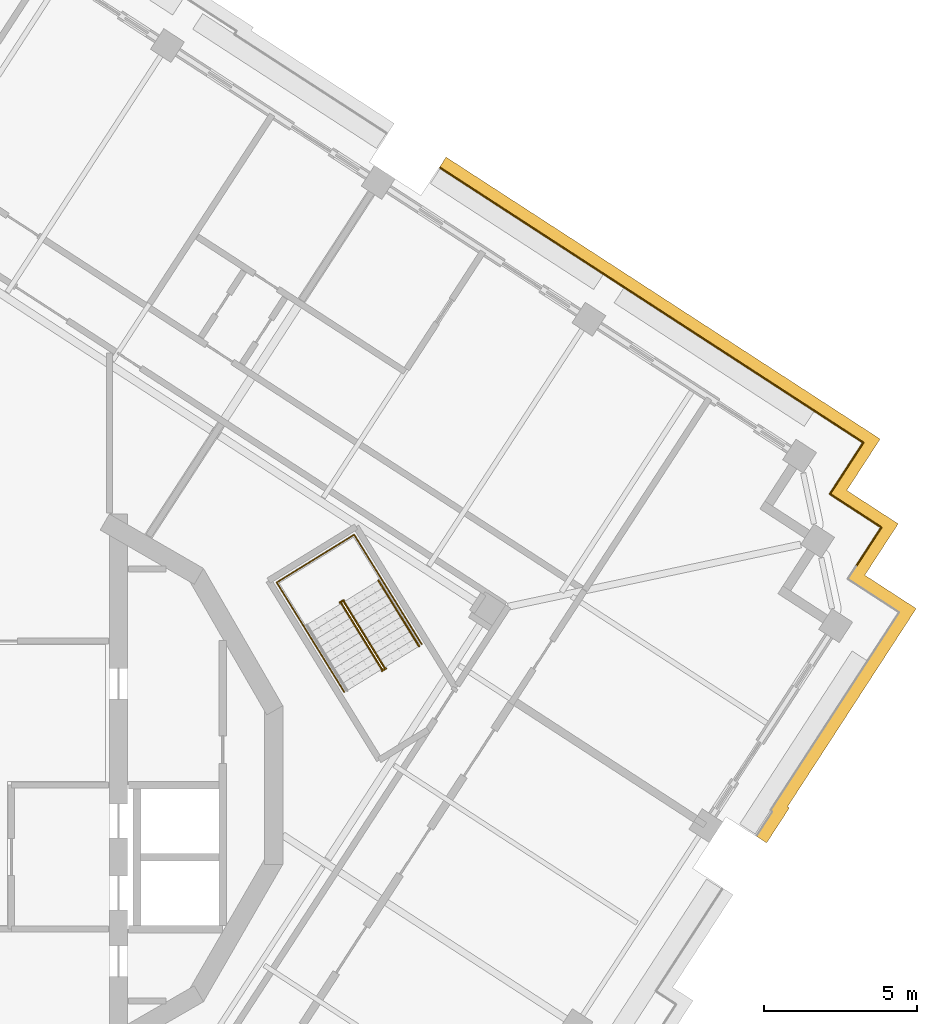
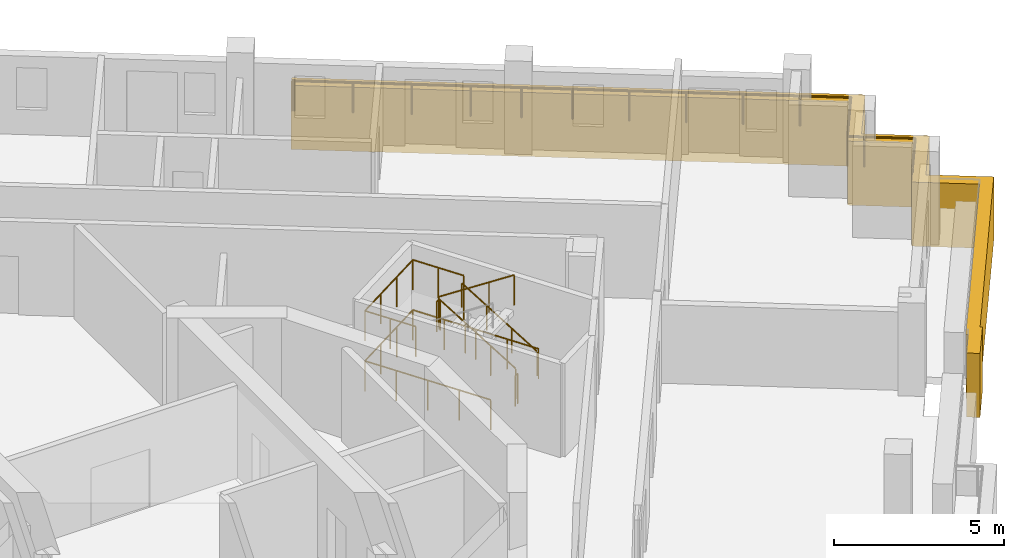
# One storey, part 14 of 15: 7 railings, 1 covering.
"""IFC4 building model written with IfcOpenShell, lengths in metres."""

from ifc_helpers import new_model, si_unit, direction, frame, origin, origin_2d, place, context, subcontext, project, spatial, polyline, circle, outline, extrude, material, type_object, element, save


model = new_model("IFC4")

# Units and contexts
model_context = context("Model", 3, precision=1e-05, world=origin(), true_north=direction((0.0, 1.0)))
body_context = subcontext(model_context, "Body", "Model", "MODEL_VIEW")
ifc_project = project(units=[si_unit("LENGTHUNIT", "METRE"), si_unit("AREAUNIT", "SQUARE_METRE"), si_unit("VOLUMEUNIT", "CUBIC_METRE"), si_unit("PLANEANGLEUNIT", "RADIAN"), si_unit("MASSUNIT", "GRAM", prefix="KILO")], contexts=[model_context])

# Site, building, storey
site_placement = place(None, origin())
site = spatial("IfcSite", under=ifc_project, at=site_placement, CompositionType="ELEMENT")
building_placement = place(site_placement, origin())
building = spatial("IfcBuilding", under=site, at=building_placement, Name="Cantera Rosa Tower", CompositionType="ELEMENT")
storey_placement = place(building_placement, frame((0.0, 0.0, 261.300048828125)))
storey = spatial("IfcBuildingStorey", under=building, at=storey_placement, Name="L58", CompositionType="ELEMENT", Elevation=261.300048828125)

# Railings
ifc_material_1 = material(Name="Stainless steel and laminated glass", Category="steel")
railing_type_1 = type_object("IfcRailingType", Name="GUARD 1100", PredefinedType="BALUSTRADE", material=ifc_material_1)
railing_1_placement = place(storey_placement, frame((14.7880859375, 20.14599609375, 0.0)))
element("IfcRailing", 1, at=railing_1_placement, inside=storey, type_object=railing_type_1, Name="GUARD L58-8", PredefinedType="BALUSTRADE", context=body_context, shape_type="SweptSolid", body=[
    extrude(circle(Radius=0.030029296875, at=origin_2d()), frame((0.0, 0.0, 1.070068359375), z_axis=(0.838443616301, -0.544988350595, 0.0), x_axis=(0.544988350595, 0.838443616301, 0.0)), (0.0, 0.0, 1.0), 0.06982421875),
    extrude(circle(Radius=0.030029296875, at=origin_2d()), frame((0.05859375, -0.0380859375, 1.070068359375), z_axis=(0.838657010828, -0.544659910576, 0.0), x_axis=(0.544659910576, 0.838657010828, 0.0)), (0.0, 0.0, 1.0), 5.2001953125),
    extrude(circle(Radius=0.030029296875, at=origin_2d()), frame((4.419677734375, -2.870361328125, 1.070068359375), z_axis=(0.8387001057, -0.544593548161, 0.0), x_axis=(0.544593548161, 0.8387001057, 0.0)), (0.0, 0.0, 1.0), 3.0),
    extrude(circle(Radius=0.030029296875, at=origin_2d()), frame((6.935791015625, -4.504150390625, 1.070068359375), z_axis=(0.838666659313, -0.544645053734, 0.0), x_axis=(0.544645053734, 0.838666659313, 0.0)), (0.0, 0.0, 1.0), 6.7001953125),
    extrude(circle(Radius=0.030029296875, at=origin_2d()), frame((12.554931640625, -8.1533203125, 1.070068359375), z_axis=(0.838651824232, -0.544667896716, 0.0), x_axis=(0.544667896716, 0.838651824232, 0.0)), (0.0, 0.0, 1.0), 1.499755859375),
    extrude(circle(Radius=0.030029296875, at=origin_2d()), frame((13.812744140625, -8.97021484375, 1.070068359375), z_axis=(-0.544593548161, -0.8387001057, 0.0), x_axis=(0.8387001057, -0.544593548161, 0.0)), (0.0, 0.0, 1.0), 1.5),
    extrude(circle(Radius=0.030029296875, at=origin_2d()), frame((12.995849609375, -10.228271484375, 1.070068359375), z_axis=(-0.544627753175, -0.83867789435, 0.0), x_axis=(0.83867789435, -0.544627753175, 0.0)), (0.0, 0.0, 1.0), 0.499755859375),
    extrude(circle(Radius=0.030029296875, at=origin_2d()), frame((12.7236328125, -10.6474609375, 1.070068359375), z_axis=(0.838454772945, -0.544971186143, 0.0), x_axis=(0.544971186143, 0.838454772945, 0.0)), (0.0, 0.0, 1.0), 0.5),
    extrude(circle(Radius=0.030029296875, at=origin_2d()), frame((13.142822265625, -10.919921875, 1.070068359375), z_axis=(0.8387001057, -0.544593548161, 0.0), x_axis=(0.544593548161, 0.8387001057, 0.0)), (0.0, 0.0, 1.0), 1.5),
    extrude(circle(Radius=0.030029296875, at=origin_2d()), frame((14.40087890625, -11.73681640625, 1.070068359375), z_axis=(-0.544593548161, -0.8387001057, 0.0), x_axis=(0.8387001057, -0.544593548161, 0.0)), (0.0, 0.0, 1.0), 1.5),
    extrude(circle(Radius=0.02490234375, at=origin_2d()), origin(), (0.0, 0.0, 1.0), 1.0400390625),
    extrude(circle(Radius=0.02490234375, at=origin_2d()), frame((0.05859375, -0.0380859375, 0.0)), (0.0, 0.0, 1.0), 1.0400390625),
    extrude(circle(Radius=0.02490234375, at=origin_2d()), frame((1.51220703125, -0.982177734375, 0.0)), (0.0, 0.0, 1.0), 1.0400390625),
    extrude(circle(Radius=0.02490234375, at=origin_2d()), frame((2.966064453125, -1.92626953125, 0.0)), (0.0, 0.0, 1.0), 1.0400390625),
    extrude(circle(Radius=0.02490234375, at=origin_2d()), frame((4.419677734375, -2.870361328125, 0.0)), (0.0, 0.0, 1.0), 1.0400390625),
    extrude(circle(Radius=0.02490234375, at=origin_2d()), frame((5.677734375, -3.687255859375, 0.0)), (0.0, 0.0, 1.0), 1.0400390625),
    extrude(circle(Radius=0.02490234375, at=origin_2d()), frame((6.935791015625, -4.504150390625, 0.0)), (0.0, 0.0, 1.0), 1.0400390625),
    extrude(circle(Radius=0.02490234375, at=origin_2d()), frame((8.340576171875, -5.41650390625, 0.0)), (0.0, 0.0, 1.0), 1.0400390625),
    extrude(circle(Radius=0.02490234375, at=origin_2d()), frame((9.745361328125, -6.32861328125, 0.0)), (0.0, 0.0, 1.0), 1.0400390625),
    extrude(circle(Radius=0.02490234375, at=origin_2d()), frame((11.150146484375, -7.240966796875, 0.0)), (0.0, 0.0, 1.0), 1.0400390625),
    extrude(circle(Radius=0.02490234375, at=origin_2d()), frame((12.554931640625, -8.1533203125, 0.0)), (0.0, 0.0, 1.0), 1.0400390625),
    extrude(circle(Radius=0.02490234375, at=origin_2d()), frame((13.812744140625, -8.97021484375, 0.0)), (0.0, 0.0, 1.0), 1.0400390625),
    extrude(circle(Radius=0.02490234375, at=origin_2d()), frame((12.995849609375, -10.228271484375, 0.0)), (0.0, 0.0, 1.0), 1.0400390625),
    extrude(circle(Radius=0.02490234375, at=origin_2d()), frame((12.7236328125, -10.6474609375, 0.0)), (0.0, 0.0, 1.0), 1.0400390625),
    extrude(circle(Radius=0.02490234375, at=origin_2d()), frame((13.142822265625, -10.919921875, 0.0)), (0.0, 0.0, 1.0), 1.0400390625),
    extrude(circle(Radius=0.02490234375, at=origin_2d()), frame((14.40087890625, -11.73681640625, 0.0)), (0.0, 0.0, 1.0), 1.0400390625),
    extrude(circle(Radius=0.02490234375, at=origin_2d()), frame((13.583984375, -12.994873046875, 0.0)), (0.0, 0.0, 1.0), 1.0400390625),
])
ifc_material_2 = material(Name="Steel S355J2 (EN 10025-2)", Category="steel")
railing_type_2 = type_object("IfcRailingType", Name="STAIR GUARD 1100", PredefinedType="GUARDRAIL", material=ifc_material_2)
railing_2_placement = place(storey_placement, frame((12.9765625, 3.834228515625, 0.179931640625)))
element("IfcRailing", 2, at=railing_2_placement, inside=storey, type_object=railing_type_2, Name="L58 ST-51 stair guard 1", PredefinedType="GUARDRAIL", context=body_context, shape_type="SweptSolid", body=[
    extrude(circle(Radius=0.02392578125, at=origin_2d()), frame((0.0, 0.0, 1.076171875), z_axis=(-0.44154346381, 0.715939337315, 0.540805172729), x_axis=(-0.851145618652, -0.524929648476, 0.0)), (0.0, 0.0, 1.0), 2.995849609375),
    extrude(circle(Radius=0.02392578125, at=origin_2d()), frame((-1.32275390625, 2.144775390625, 2.6962890625), z_axis=(-0.073711968402, 0.997279572494, 0.0), x_axis=(-0.997279572494, -0.073711968402, 0.0)), (0.0, 0.0, 1.0), 0.056396484375),
    extrude(circle(Radius=0.02392578125, at=origin_2d()), frame((-1.326904296875, 2.200927734375, 2.6962890625), z_axis=(-0.851546489876, -0.524279100842, 0.0), x_axis=(0.524279100842, -0.851546489876, 0.0)), (0.0, 0.0, 1.0), 0.14990234375),
    extrude(circle(Radius=0.02099609375, at=origin_2d()), origin(), (0.0, 0.0, 1.0), 1.052001953125),
    extrude(circle(Radius=0.02099609375, at=origin_2d()), frame((-0.44091796875, 0.71484375, 0.5400390625)), (0.0, 0.0, 1.0), 1.052001953125),
    extrude(circle(Radius=0.02099609375, at=origin_2d()), frame((-0.8818359375, 1.429931640625, 1.080078125)), (0.0, 0.0, 1.0), 1.052001953125),
    extrude(circle(Radius=0.02099609375, at=origin_2d()), frame((-1.32275390625, 2.144775390625, 1.6201171875)), (0.0, 0.0, 1.0), 1.052001953125),
    extrude(circle(Radius=0.02099609375, at=origin_2d()), frame((-1.326904296875, 2.200927734375, 1.6201171875)), (0.0, 0.0, 1.0), 1.052001953125),
    extrude(circle(Radius=0.02099609375, at=origin_2d()), frame((-1.45458984375, 2.122314453125, 1.6201171875)), (0.0, 0.0, 1.0), 1.052001953125),
])
railing_3_placement = place(storey_placement, frame((11.5703125, 5.927490234375, 1.97998046875)))
element("IfcRailing", 3, at=railing_3_placement, inside=storey, type_object=railing_type_2, Name="L58 ST-51 stair guard 2", PredefinedType="GUARDRAIL", context=body_context, shape_type="SweptSolid", body=[
    extrude(circle(Radius=0.02392578125, at=origin_2d()), frame((0.0, 0.0, 1.076171875), z_axis=(0.441628529057, -0.715945124149, 0.540728047664), x_axis=(0.851102330005, 0.524999832248, 0.0)), (0.0, 0.0, 1.0), 2.99560546875),
    extrude(circle(Radius=0.02099609375, at=origin_2d()), origin(), (0.0, 0.0, 1.0), 1.052001953125),
    extrude(circle(Radius=0.02099609375, at=origin_2d()), frame((0.44091796875, -0.71484375, 0.5400390625)), (0.0, 0.0, 1.0), 1.052001953125),
    extrude(circle(Radius=0.02099609375, at=origin_2d()), frame((0.882080078125, -1.429931640625, 1.079833984375)), (0.0, 0.0, 1.0), 1.052001953125),
    extrude(circle(Radius=0.02099609375, at=origin_2d()), frame((1.322998046875, -2.144775390625, 1.619873046875)), (0.0, 0.0, 1.0), 1.052001953125),
])
railing_4_placement = place(storey_placement, frame((13.025146484375, 3.80517578125, 0.0)))
element("IfcRailing", 4, at=railing_4_placement, inside=storey, type_object=railing_type_2, Name="L58 ST-51 stair guard 3", PredefinedType="GUARDRAIL", context=body_context, shape_type="SweptSolid", body=[
    extrude(circle(Radius=0.02392578125, at=origin_2d()), frame((0.0, 0.0, 1.076171875), z_axis=(-0.851546489876, -0.524279100842, 0.0), x_axis=(0.524279100842, -0.851546489876, 0.0)), (0.0, 0.0, 1.0), 0.14990234375),
    extrude(circle(Radius=0.02099609375, at=origin_2d()), origin(), (0.0, 0.0, 1.0), 1.052001953125),
    extrude(circle(Radius=0.02099609375, at=origin_2d()), frame((-0.127685546875, -0.07861328125, 0.0)), (0.0, 0.0, 1.0), 1.052001953125),
])
railing_5_placement = place(storey_placement, frame((14.192626953125, 4.59814453125, 0.0)))
element("IfcRailing", 5, at=railing_5_placement, inside=storey, type_object=railing_type_2, Name="L58 ST-51 stair guard 4", PredefinedType="GUARDRAIL", context=body_context, shape_type="SweptSolid", body=[
    extrude(circle(Radius=0.02392578125, at=origin_2d()), frame((0.0, 0.0, 1.076171875), z_axis=(-0.524976478809, 0.851116735059, 0.0), x_axis=(-0.851116735059, -0.524976478809, 0.0)), (0.0, 0.0, 1.0), 4.197998046875),
    extrude(circle(Radius=0.02392578125, at=origin_2d()), frame((-2.203857421875, 3.572998046875, 1.076171875), z_axis=(-0.851132917336, -0.524950242429, 0.0), x_axis=(0.524950242429, -0.851132917336, 0.0)), (0.0, 0.0, 1.0), 2.969970703125),
    extrude(circle(Radius=0.02392578125, at=origin_2d()), frame((-4.731689453125, 2.013916015625, 1.076171875), z_axis=(0.524976478809, -0.851116735059, 0.0), x_axis=(0.851116735059, 0.524976478809, 0.0)), (0.0, 0.0, 1.0), 4.197998046875),
    extrude(circle(Radius=0.02099609375, at=origin_2d()), origin(), (0.0, 0.0, 1.0), 1.052001953125),
    extrude(circle(Radius=0.02099609375, at=origin_2d()), frame((-0.551025390625, 0.893310546875, 0.0)), (0.0, 0.0, 1.0), 1.052001953125),
    extrude(circle(Radius=0.02099609375, at=origin_2d()), frame((-1.10205078125, 1.78662109375, 0.0)), (0.0, 0.0, 1.0), 1.052001953125),
    extrude(circle(Radius=0.02099609375, at=origin_2d()), frame((-1.65283203125, 2.6796875, 0.0)), (0.0, 0.0, 1.0), 1.052001953125),
    extrude(circle(Radius=0.02099609375, at=origin_2d()), frame((-2.203857421875, 3.572998046875, 0.0)), (0.0, 0.0, 1.0), 1.052001953125),
    extrude(circle(Radius=0.02099609375, at=origin_2d()), frame((-3.04638671875, 3.05322265625, 0.0)), (0.0, 0.0, 1.0), 1.052001953125),
    extrude(circle(Radius=0.02099609375, at=origin_2d()), frame((-3.88916015625, 2.53369140625, 0.0)), (0.0, 0.0, 1.0), 1.052001953125),
    extrude(circle(Radius=0.02099609375, at=origin_2d()), frame((-4.731689453125, 2.013916015625, 0.0)), (0.0, 0.0, 1.0), 1.052001953125),
    extrude(circle(Radius=0.02099609375, at=origin_2d()), frame((-4.1806640625, 1.12060546875, 0.0)), (0.0, 0.0, 1.0), 1.052001953125),
    extrude(circle(Radius=0.02099609375, at=origin_2d()), frame((-3.6298828125, 0.2275390625, 0.0)), (0.0, 0.0, 1.0), 1.052001953125),
    extrude(circle(Radius=0.02099609375, at=origin_2d()), frame((-3.078857421875, -0.665771484375, 0.0)), (0.0, 0.0, 1.0), 1.052001953125),
    extrude(circle(Radius=0.02099609375, at=origin_2d()), frame((-2.52783203125, -1.55908203125, 0.0)), (0.0, 0.0, 1.0), 1.052001953125),
])
railing_6_placement = place(storey_placement, frame((12.88232421875, 6.72265625, 1.800048828125)))
element("IfcRailing", 6, at=railing_6_placement, inside=storey, type_object=railing_type_2, Name="L58 ST-51 stair guard 5", PredefinedType="GUARDRAIL", context=body_context, shape_type="SweptSolid", body=[
    extrude(circle(Radius=0.02392578125, at=origin_2d()), frame((0.0, 0.0, 1.076171875), z_axis=(-0.525025534833, 0.851086474909, 0.0), x_axis=(-0.851086474909, -0.525025534833, 0.0)), (0.0, 0.0, 1.0), 1.701904296875),
    extrude(circle(Radius=0.02392578125, at=origin_2d()), frame((-0.8935546875, 1.448486328125, 1.076171875), z_axis=(-0.851132917336, -0.524950242429, 0.0), x_axis=(0.524950242429, -0.851132917336, 0.0)), (0.0, 0.0, 1.0), 2.969970703125),
    extrude(circle(Radius=0.02392578125, at=origin_2d()), frame((-3.42138671875, -0.110595703125, 1.076171875), z_axis=(0.524961441845, -0.851126009811, 0.0), x_axis=(0.851126009811, 0.524961441845, 0.0)), (0.0, 0.0, 1.0), 1.7021484375),
    extrude(circle(Radius=0.02099609375, at=origin_2d()), origin(), (0.0, 0.0, 1.0), 1.052001953125),
    extrude(circle(Radius=0.02099609375, at=origin_2d()), frame((-0.44677734375, 0.72412109375, 0.0)), (0.0, 0.0, 1.0), 1.052001953125),
    extrude(circle(Radius=0.02099609375, at=origin_2d()), frame((-0.8935546875, 1.448486328125, 0.0)), (0.0, 0.0, 1.0), 1.052001953125),
    extrude(circle(Radius=0.02099609375, at=origin_2d()), frame((-1.736083984375, 0.9287109375, 0.0)), (0.0, 0.0, 1.0), 1.052001953125),
    extrude(circle(Radius=0.02099609375, at=origin_2d()), frame((-2.578857421875, 0.4091796875, 0.0)), (0.0, 0.0, 1.0), 1.052001953125),
    extrude(circle(Radius=0.02099609375, at=origin_2d()), frame((-3.42138671875, -0.110595703125, 0.0)), (0.0, 0.0, 1.0), 1.052001953125),
    extrude(circle(Radius=0.02099609375, at=origin_2d()), frame((-2.974609375, -0.8349609375, 0.0)), (0.0, 0.0, 1.0), 1.052001953125),
    extrude(circle(Radius=0.02099609375, at=origin_2d()), frame((-2.52783203125, -1.559326171875, 0.0)), (0.0, 0.0, 1.0), 1.052001953125),
])
ifc_material_3 = material(Name="Steel S355J2 (EN 10025-2)", Category="steel")
railing_type_3 = type_object("IfcRailingType", Name="STAIR HANDRAIL 900", PredefinedType="HANDRAIL", material=ifc_material_3)
railing_7_placement = place(storey_placement, frame((14.105224609375, 4.5302734375, 0.179931640625)))
element("IfcRailing", 7, at=railing_7_placement, inside=storey, type_object=railing_type_3, Name="L58 ST-51 stair handrail 1", PredefinedType="HANDRAIL", context=body_context, shape_type="SweptSolid", body=[
    extrude(circle(Radius=0.02392578125, at=origin_2d()), frame((0.0, 0.0, 0.8759765625), z_axis=(-0.441609067481, 0.715913574058, 0.540785711718), x_axis=(-0.851102330005, -0.524999832248, 0.0)), (0.0, 0.0, 1.0), 2.995849609375),
    extrude(circle(Radius=0.02099609375, at=origin_2d()), origin(), (0.0, 0.0, 1.0), 0.851806640625),
    extrude(circle(Radius=0.02099609375, at=origin_2d()), frame((-0.44091796875, 0.71484375, 0.5400390625)), (0.0, 0.0, 1.0), 0.851806640625),
    extrude(circle(Radius=0.02099609375, at=origin_2d()), frame((-0.882080078125, 1.429931640625, 1.080078125)), (0.0, 0.0, 1.0), 0.851806640625),
    extrude(circle(Radius=0.02099609375, at=origin_2d()), frame((-1.322998046875, 2.144775390625, 1.6201171875)), (0.0, 0.0, 1.0), 0.851806640625),
])

# Covering
ifc_material_4 = material(Name="Cantera stone", Category="masonry")
covering_type = type_object("IfcCoveringType", Name="TRAY FASCIA 400", PredefinedType="CLADDING", material=ifc_material_4)
covering_placement = place(storey_placement, frame((0.0, 0.0, -1.400146484375)))
element("IfcCovering", 8, at=covering_placement, inside=storey, type_object=covering_type, Name="TRAY FASCIA L58-04", PredefinedType="CLADDING", context=body_context, shape_type="SweptSolid", body=[
    extrude(outline(polyline([(15.064697265625, 20.443359375), (19.42578125, 17.611328125), (21.941650390625, 15.977294921875), (27.560791015625, 12.328125), (29.154296875, 11.29345703125), (28.119384765625, 9.699951171875), (28.06494140625, 9.615966796875), (28.14892578125, 9.5615234375), (29.742431640625, 8.52685546875), (28.70751953125, 6.933349609375), (28.653076171875, 6.849365234375), (28.73681640625, 6.794921875), (30.330322265625, 5.76025390625), (29.295654296875, 4.166748046875), (26.132080078125, -0.704833984375), (26.19189453125, -0.74365234375), (25.450439453125, -1.885498046875), (25.114990234375, -1.667724609375), (25.638671875, -0.861328125), (25.57861328125, -0.822509765625), (28.960205078125, 4.384521484375), (29.777099609375, 5.642578125), (28.51904296875, 6.45947265625), (28.099853515625, 6.73193359375), (28.3720703125, 7.151123046875), (29.18896484375, 8.4091796875), (27.930908203125, 9.22607421875), (27.51171875, 9.49853515625), (27.783935546875, 9.917724609375), (28.600830078125, 11.17578125), (27.343017578125, 11.99267578125), (21.723876953125, 15.641845703125), (19.207763671875, 17.275634765625), (14.8466796875, 20.10791015625), (14.771240234375, 20.156982421875), (14.989013671875, 20.492431640625), (15.064697265625, 20.443359375)])), origin(), (0.0, 0.0, 1.0), 2.300048828125),
])

save(model, "model.ifc")
